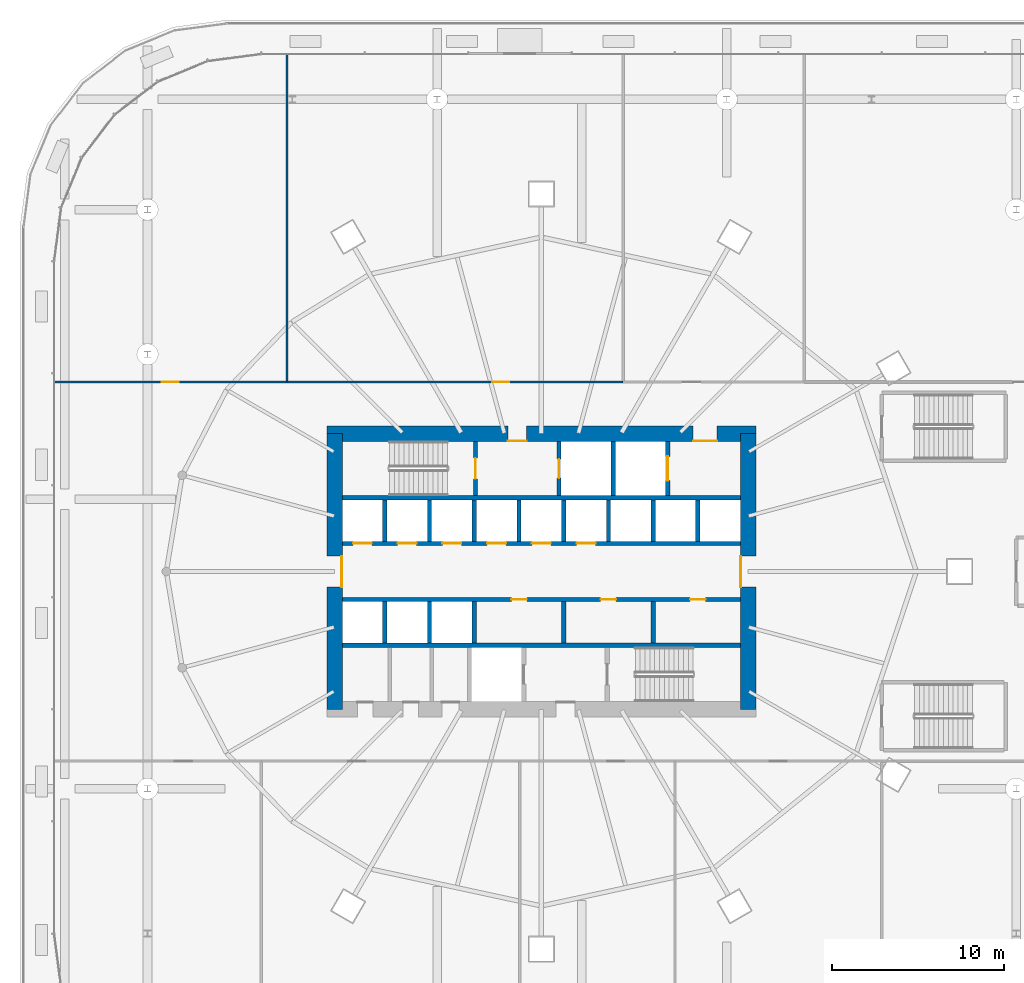
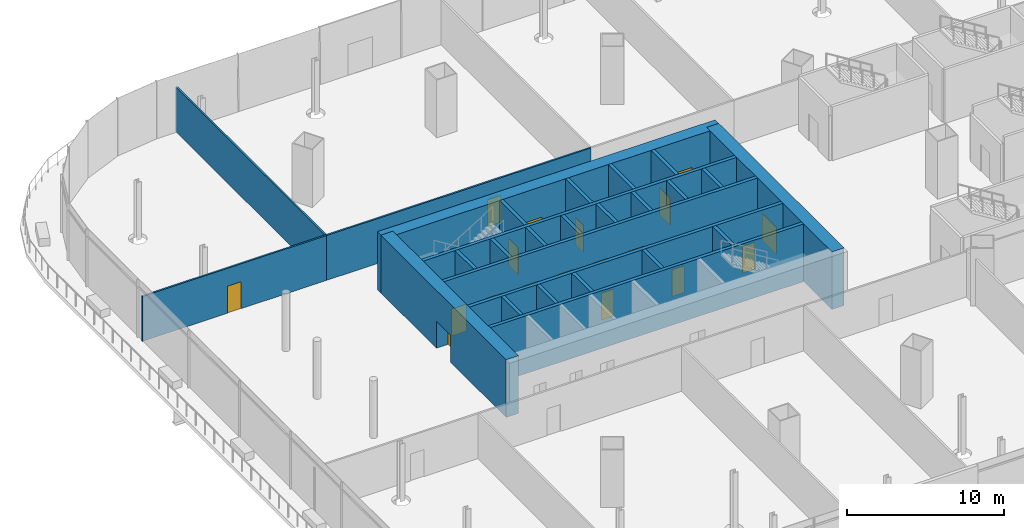
# One storey, part 38 of 56: 27 walls, 18 doors, 18 openings.
"""IFC4 building model written with IfcOpenShell, lengths in metres."""

from ifc_helpers import new_model, si_unit, direction, frame, frame_2d, origin, place, context, subcontext, project, spatial, rectangle, extrude, material, layer, layer_set, type_object, element, fill, save


model = new_model("IFC4")

# Units and contexts
model_context = context("Model", 3, precision=1e-05, world=origin(), true_north=direction((0.0, 1.0)))
body_context = subcontext(model_context, "Body", "Model", "MODEL_VIEW")
ifc_project = project(units=[si_unit("LENGTHUNIT", "METRE"), si_unit("AREAUNIT", "SQUARE_METRE"), si_unit("VOLUMEUNIT", "CUBIC_METRE"), si_unit("PLANEANGLEUNIT", "RADIAN"), si_unit("MASSUNIT", "GRAM", prefix="KILO")], contexts=[model_context])

# Site, building, storey
site_placement = place(None, origin())
site = spatial("IfcSite", under=ifc_project, at=site_placement, CompositionType="ELEMENT")
building_placement = place(site_placement, origin())
building = spatial("IfcBuilding", under=site, at=building_placement, Name="Rimbun Link Towers", CompositionType="ELEMENT")
storey_placement = place(building_placement, frame((0.0, 0.0, 16.5)))
storey = spatial("IfcBuildingStorey", under=building, at=storey_placement, Name="L03", CompositionType="ELEMENT", Elevation=16.5)

# Wall, openings, doors
ifc_material_1 = material(Name="Concrete C60/75", Category="concrete")
ifc_layer_1 = layer(ifc_material_1, 0.89990234375)
ifc_layer_set_1 = layer_set([ifc_layer_1], Name="Core shear wall 900")
wall_type_1 = type_object("IfcWallType", Name="Core shear wall 900", PredefinedType="SHEAR", material=ifc_layer_set_1)
wall_1_placement = place(storey_placement, frame((-44.199951171875, 8.0, 0.0), z_axis=(0.0, 0.0, 1.0), x_axis=(1.0, 0.0, 0.0)))
wall_1 = element("IfcWall", 1, at=wall_1_placement, inside=storey, type_object=wall_type_1, Name="L03 T1 core wall N", PredefinedType="SHEAR", context=body_context, shape_type="SweptSolid", body=[
    extrude(rectangle(XDim=24.89990234375, YDim=0.89990234375, at=frame_2d((12.449951171875, 0.0))), origin(), (0.0, 0.0, 1.0), 4.5),
])
opening_1_placement = place(wall_1_placement, frame((10.5, 0.0, 0.0)))
opening_1 = element("IfcOpeningElement", 2, at=opening_1_placement, cuts=wall_1, Name="Opening C1DCF01N", PredefinedType="OPENING", context=body_context, shape_type="SweptSolid", body=[
    extrude(rectangle(XDim=1.10009765625, YDim=2.10009765625, at=frame_2d((0.550048828125, 1.050048828125))), frame((0.0, 0.4599609375, 0.0), z_axis=(0.0, -1.0, 0.0), x_axis=(1.0, 0.0, 0.0)), (0.0, 0.0, 1.0), 0.919921875),
])
opening_2_placement = place(wall_1_placement, frame((21.25, 0.0, 0.0)))
opening_2 = element("IfcOpeningElement", 3, at=opening_2_placement, cuts=wall_1, Name="Opening C1DSL02N", PredefinedType="OPENING", context=body_context, shape_type="SweptSolid", body=[
    extrude(rectangle(XDim=1.39990234375, YDim=2.10009765625, at=frame_2d((0.699951171875, 1.050048828125))), frame((0.0, 0.4599609375, 0.0), z_axis=(0.0, -1.0, 0.0), x_axis=(1.0, 0.0, 0.0)), (0.0, 0.0, 1.0), 0.919921875),
])
ifc_material_2 = material(Name="Steel fire door set", Category="steel")
door_type_1 = type_object("IfcDoorType", Name="Core fire door single", OperationType="SINGLE_SWING_LEFT", PredefinedType="DOOR", material=ifc_material_2)
door_1_placement = place(opening_1_placement, origin())
door_1 = element("IfcDoor", 4, at=door_1_placement, inside=storey, type_object=door_type_1, Name="L03 T1 firefighting lobby n door", OperationType="SINGLE_SWING_LEFT", OverallHeight=2.10009765625, OverallWidth=1.10009765625, PredefinedType="DOOR", context=body_context, shape_type="SweptSolid", body=[
    extrude(rectangle(XDim=1.10009765625, YDim=2.10009765625, at=frame_2d((0.550048828125, 1.050048828125))), frame((0.0, -0.39990234375, 0.0), z_axis=(0.0, -1.0, 0.0), x_axis=(1.0, 0.0, 0.0)), (0.0, 0.0, 1.0), 0.050048828125),
])
fill(opening_1, door_1)
ifc_material_3 = material(Name="Steel fire door set", Category="steel")
door_type_2 = type_object("IfcDoorType", Name="Service lobby door double", OperationType="DOUBLE_DOOR_SINGLE_SWING", PredefinedType="DOOR", material=ifc_material_3)
door_2_placement = place(opening_2_placement, origin())
door_2 = element("IfcDoor", 5, at=door_2_placement, inside=storey, type_object=door_type_2, Name="L03 T1 service lobby door", OperationType="DOUBLE_DOOR_SINGLE_SWING", OverallHeight=2.10009765625, OverallWidth=1.39990234375, PredefinedType="DOOR", context=body_context, shape_type="SweptSolid", body=[
    extrude(rectangle(XDim=1.39990234375, YDim=2.10009765625, at=frame_2d((0.699951171875, 1.050048828125))), frame((0.0, -0.39990234375, 0.0), z_axis=(0.0, -1.0, 0.0), x_axis=(1.0, 0.0, 0.0)), (0.0, 0.0, 1.0), 0.050048828125),
])
fill(opening_2, door_2)

# Wall, opening, door
wall_2_placement = place(storey_placement, frame((-19.75, -8.0, 0.0), z_axis=(0.0, 0.0, 1.0), x_axis=(0.0, 1.0, 0.0)))
wall_2 = element("IfcWall", 6, at=wall_2_placement, inside=storey, type_object=wall_type_1, Name="L03 T1 core wall E", PredefinedType="SHEAR", context=body_context, shape_type="SweptSolid", body=[
    extrude(rectangle(XDim=16.0, YDim=0.89990234375, at=frame_2d((8.0, 0.0))), origin(), (0.0, 0.0, 1.0), 4.5),
])
opening_3_placement = place(wall_2_placement, frame((7.10009765625, 0.0, 0.0)))
opening_3 = element("IfcOpeningElement", 7, at=opening_3_placement, cuts=wall_2, Name="Opening C1DCL01E", PredefinedType="OPENING", context=body_context, shape_type="SweptSolid", body=[
    extrude(rectangle(XDim=1.800048828125, YDim=2.10009765625, at=frame_2d((0.89990234375, 1.050048828125))), frame((0.0, 0.4599609375, 0.0), z_axis=(0.0, -1.0, 0.0), x_axis=(1.0, 0.0, 0.0)), (0.0, 0.0, 1.0), 0.919921875),
])
ifc_material_4 = material(Name="Steel fire door set", Category="steel")
door_type_3 = type_object("IfcDoorType", Name="Core lobby door double", OperationType="DOUBLE_DOOR_SINGLE_SWING", PredefinedType="DOOR", material=ifc_material_4)
door_3_placement = place(opening_3_placement, origin())
door_3 = element("IfcDoor", 8, at=door_3_placement, inside=storey, type_object=door_type_3, Name="L03 T1 lift lobby door", OperationType="DOUBLE_DOOR_SINGLE_SWING", OverallHeight=2.10009765625, OverallWidth=1.800048828125, PredefinedType="DOOR", context=body_context, shape_type="SweptSolid", body=[
    extrude(rectangle(XDim=1.800048828125, YDim=2.10009765625, at=frame_2d((0.89990234375, 1.050048828125))), frame((0.0, 0.4501953125, 0.0), z_axis=(0.0, -1.0, 0.0), x_axis=(1.0, 0.0, 0.0)), (0.0, 0.0, 1.0), 0.050048828125),
])
fill(opening_3, door_3)

wall_3_placement = place(storey_placement, frame((-43.75, -8.0, 0.0), z_axis=(0.0, 0.0, 1.0), x_axis=(0.0, 1.0, 0.0)))
wall_3 = element("IfcWall", 9, at=wall_3_placement, inside=storey, type_object=wall_type_1, Name="L03 T1 core wall W", PredefinedType="SHEAR", context=body_context, shape_type="SweptSolid", body=[
    extrude(rectangle(XDim=16.0, YDim=0.89990234375, at=frame_2d((8.0, 0.0))), origin(), (0.0, 0.0, 1.0), 4.5),
])
opening_4_placement = place(wall_3_placement, frame((7.10009765625, 0.0, 0.0)))
opening_4 = element("IfcOpeningElement", 10, at=opening_4_placement, cuts=wall_3, Name="Opening C1DCL01W", PredefinedType="OPENING", context=body_context, shape_type="SweptSolid", body=[
    extrude(rectangle(XDim=1.800048828125, YDim=2.10009765625, at=frame_2d((0.89990234375, 1.050048828125))), frame((0.0, 0.4599609375, 0.0), z_axis=(0.0, -1.0, 0.0), x_axis=(1.0, 0.0, 0.0)), (0.0, 0.0, 1.0), 0.919921875),
])
door_4_placement = place(opening_4_placement, origin())
door_4 = element("IfcDoor", 11, at=door_4_placement, inside=storey, type_object=door_type_3, Name="L03 T1 lift lobby door", OperationType="DOUBLE_DOOR_SINGLE_SWING", OverallHeight=2.10009765625, OverallWidth=1.800048828125, PredefinedType="DOOR", context=body_context, shape_type="SweptSolid", body=[
    extrude(rectangle(XDim=1.800048828125, YDim=2.10009765625, at=frame_2d((0.89990234375, 1.050048828125))), frame((0.0, -0.39990234375, 0.0), z_axis=(0.0, -1.0, 0.0), x_axis=(1.0, 0.0, 0.0)), (0.0, 0.0, 1.0), 0.050048828125),
])
fill(opening_4, door_4)

ifc_material_5 = material(Name="Gypsum board on steel studs", Category="steel")
ifc_layer_2 = layer(ifc_material_5, 0.125)
ifc_layer_set_2 = layer_set([ifc_layer_2], Name="Partition 125 board on studs")
wall_type_2 = type_object("IfcWallType", Name="Partition 125 board on studs", PredefinedType="PARTITIONING", material=ifc_layer_set_2)
wall_4_placement = place(storey_placement, frame((-46.5, 11.0, 0.0), z_axis=(0.0, 0.0, 1.0), x_axis=(-1.0, 0.0, 0.0)))
wall_4 = element("IfcWall", 12, at=wall_4_placement, inside=storey, type_object=wall_type_2, Name="PD/PW/L03/038", PredefinedType="PARTITIONING", context=body_context, shape_type="SweptSolid", body=[
    extrude(rectangle(XDim=13.580078125, YDim=0.125, at=frame_2d((6.7900390625, 0.0))), origin(), (0.0, 0.0, 1.0), 3.49609375),
])
opening_5_placement = place(wall_4_placement, frame((6.2900390625, 0.0, 0.0)))
opening_5 = element("IfcOpeningElement", 13, at=opening_5_placement, cuts=wall_4, Name="Opening PD D03.16", PredefinedType="OPENING", context=body_context, shape_type="SweptSolid", body=[
    extrude(rectangle(XDim=1.0, YDim=2.10009765625, at=frame_2d((0.5, 1.050048828125))), frame((0.0, 0.072509765625, 0.0), z_axis=(0.0, -1.0, 0.0), x_axis=(1.0, 0.0, 0.0)), (0.0, 0.0, 1.0), 0.14501953125),
])
ifc_material_6 = material(Name="Timber door set", Category="wood")
door_type_4 = type_object("IfcDoorType", Name="Door single leaf 1000 x 2100", OperationType="NOTDEFINED", PredefinedType="DOOR", material=ifc_material_6)
door_5_placement = place(opening_5_placement, origin())
door_5 = element("IfcDoor", 14, at=door_5_placement, inside=storey, type_object=door_type_4, Name="PD/DR/L03/016", OperationType="SINGLE_SWING_LEFT", OverallHeight=2.10009765625, OverallWidth=1.0, PredefinedType="DOOR", context=body_context, shape_type="SweptSolid", body=[
    extrude(rectangle(XDim=1.0, YDim=2.10009765625, at=frame_2d((0.5, 1.050048828125))), frame((0.0, 0.02490234375, 0.0), z_axis=(0.0, -1.0, 0.0), x_axis=(1.0, 0.0, 0.0)), (0.0, 0.0, 1.0), 0.050048828125),
])
fill(opening_5, door_5)

wall_5_placement = place(storey_placement, frame((-27.0, 11.0, 0.0), z_axis=(0.0, 0.0, 1.0), x_axis=(-1.0, 0.0, 0.0)))
wall_5 = element("IfcWall", 15, at=wall_5_placement, inside=storey, type_object=wall_type_2, Name="PD/PW/L03/039", PredefinedType="PARTITIONING", context=body_context, shape_type="SweptSolid", body=[
    extrude(rectangle(XDim=19.5, YDim=0.125, at=frame_2d((9.75, 0.0))), origin(), (0.0, 0.0, 1.0), 3.49609375),
])
opening_6_placement = place(wall_5_placement, frame((6.610107421875, 0.0, 0.0)))
opening_6 = element("IfcOpeningElement", 16, at=opening_6_placement, cuts=wall_5, Name="Opening PD D03.17", PredefinedType="OPENING", context=body_context, shape_type="SweptSolid", body=[
    extrude(rectangle(XDim=1.0, YDim=2.10009765625, at=frame_2d((0.5, 1.050048828125))), frame((0.0, 0.072509765625, 0.0), z_axis=(0.0, -1.0, 0.0), x_axis=(1.0, 0.0, 0.0)), (0.0, 0.0, 1.0), 0.14501953125),
])
door_6_placement = place(opening_6_placement, origin())
door_6 = element("IfcDoor", 17, at=door_6_placement, inside=storey, type_object=door_type_4, Name="PD/DR/L03/017", OperationType="SINGLE_SWING_RIGHT", OverallHeight=2.10009765625, OverallWidth=1.0, PredefinedType="DOOR", context=body_context, shape_type="SweptSolid", body=[
    extrude(rectangle(XDim=1.0, YDim=2.10009765625, at=frame_2d((0.5, 1.050048828125))), frame((0.0, 0.02490234375, 0.0), z_axis=(0.0, -1.0, 0.0), x_axis=(1.0, 0.0, 0.0)), (0.0, 0.0, 1.0), 0.050048828125),
])
fill(opening_6, door_6)

# Walls
wall_6_placement = place(storey_placement, frame((-46.5, 11.0625, 0.0), z_axis=(0.0, 0.0, 1.0), x_axis=(0.0, 1.0, 0.0)))
element("IfcWall", 18, at=wall_6_placement, inside=storey, type_object=wall_type_2, Name="PD/PW/L03/067", PredefinedType="PARTITIONING", context=body_context, shape_type="SweptSolid", body=[
    extrude(rectangle(XDim=19.017578125, YDim=0.125, at=frame_2d((9.5087890625, 0.0))), origin(), (0.0, 0.0, 1.0), 3.49609375),
])
ifc_material_7 = material(Name="Concrete C60/75", Category="concrete")
ifc_layer_3 = layer(ifc_material_7, 0.25)
ifc_layer_set_3 = layer_set([ifc_layer_3], Name="Shaft wall 250")
wall_type_3 = type_object("IfcWallType", Name="Shaft wall 250", PredefinedType="SHEAR", material=ifc_layer_set_3)
for number, where, z_axis, x_axis, name in (
    (19, (-43.300048828125, 4.27490234375, 0.0), (0.0, 0.0, 1.0), (1.0, 0.0, 0.0), "L03 T1 core wall BN"),
    (20, (-43.300048828125, -4.27490234375, 0.0), (0.0, 0.0, 1.0), (1.0, 0.0, 0.0), "L03 T1 core wall BS"),
):
    element("IfcWall", number, at=place(storey_placement, frame(where, z_axis=z_axis, x_axis=x_axis)), inside=storey, type_object=wall_type_3, Name=name, PredefinedType="SHEAR", context=body_context, shape_type="SweptSolid", body=[
        extrude(rectangle(XDim=23.10009765625, YDim=0.25, at=frame_2d((11.550048828125, 0.0))), origin(), (0.0, 0.0, 1.0), 4.5),
    ])

# Wall, openings, doors
wall_7_placement = place(storey_placement, frame((-43.300048828125, 1.625, 0.0), z_axis=(0.0, 0.0, 1.0), x_axis=(1.0, 0.0, 0.0)))
wall_7 = element("IfcWall", 21, at=wall_7_placement, inside=storey, type_object=wall_type_3, Name="L03 T1 core wall FN", PredefinedType="SHEAR", context=body_context, shape_type="SweptSolid", body=[
    extrude(rectangle(XDim=23.10009765625, YDim=0.25, at=frame_2d((11.550048828125, 0.0))), origin(), (0.0, 0.0, 1.0), 4.5),
])
opening_7_placement = place(wall_7_placement, frame((0.622314453125, 0.0, 0.0)))
opening_7 = element("IfcOpeningElement", 22, at=opening_7_placement, cuts=wall_7, Name="Opening LD-T1-LR1", PredefinedType="OPENING", context=body_context, shape_type="SweptSolid", body=[
    extrude(rectangle(XDim=1.10009765625, YDim=2.10009765625, at=frame_2d((0.550048828125, 1.050048828125))), frame((0.0, 0.135009765625, 0.0), z_axis=(0.0, -1.0, 0.0), x_axis=(1.0, 0.0, 0.0)), (0.0, 0.0, 1.0), 0.27001953125),
])
opening_8_placement = place(wall_7_placement, frame((3.216796875, 0.0, 0.0)))
opening_8 = element("IfcOpeningElement", 23, at=opening_8_placement, cuts=wall_7, Name="Opening LD-T1-LR2", PredefinedType="OPENING", context=body_context, shape_type="SweptSolid", body=[
    extrude(rectangle(XDim=1.10009765625, YDim=2.10009765625, at=frame_2d((0.550048828125, 1.050048828125))), frame((0.0, 0.135009765625, 0.0), z_axis=(0.0, -1.0, 0.0), x_axis=(1.0, 0.0, 0.0)), (0.0, 0.0, 1.0), 0.27001953125),
])
opening_9_placement = place(wall_7_placement, frame((5.81103515625, 0.0, 0.0)))
opening_9 = element("IfcOpeningElement", 24, at=opening_9_placement, cuts=wall_7, Name="Opening LD-T1-LR3", PredefinedType="OPENING", context=body_context, shape_type="SweptSolid", body=[
    extrude(rectangle(XDim=1.10009765625, YDim=2.10009765625, at=frame_2d((0.550048828125, 1.050048828125))), frame((0.0, 0.135009765625, 0.0), z_axis=(0.0, -1.0, 0.0), x_axis=(1.0, 0.0, 0.0)), (0.0, 0.0, 1.0), 0.27001953125),
])
opening_10_placement = place(wall_7_placement, frame((8.405517578125, 0.0, 0.0)))
opening_10 = element("IfcOpeningElement", 25, at=opening_10_placement, cuts=wall_7, Name="Opening LD-T1-LR4", PredefinedType="OPENING", context=body_context, shape_type="SweptSolid", body=[
    extrude(rectangle(XDim=1.10009765625, YDim=2.10009765625, at=frame_2d((0.550048828125, 1.050048828125))), frame((0.0, 0.135009765625, 0.0), z_axis=(0.0, -1.0, 0.0), x_axis=(1.0, 0.0, 0.0)), (0.0, 0.0, 1.0), 0.27001953125),
])
opening_11_placement = place(wall_7_placement, frame((11.0, 0.0, 0.0)))
opening_11 = element("IfcOpeningElement", 26, at=opening_11_placement, cuts=wall_7, Name="Opening LD-T1-LR5", PredefinedType="OPENING", context=body_context, shape_type="SweptSolid", body=[
    extrude(rectangle(XDim=1.10009765625, YDim=2.10009765625, at=frame_2d((0.550048828125, 1.050048828125))), frame((0.0, 0.135009765625, 0.0), z_axis=(0.0, -1.0, 0.0), x_axis=(1.0, 0.0, 0.0)), (0.0, 0.0, 1.0), 0.27001953125),
])
opening_12_placement = place(wall_7_placement, frame((13.594482421875, 0.0, 0.0)))
opening_12 = element("IfcOpeningElement", 27, at=opening_12_placement, cuts=wall_7, Name="Opening LD-T1-LR6", PredefinedType="OPENING", context=body_context, shape_type="SweptSolid", body=[
    extrude(rectangle(XDim=1.10009765625, YDim=2.10009765625, at=frame_2d((0.550048828125, 1.050048828125))), frame((0.0, 0.135009765625, 0.0), z_axis=(0.0, -1.0, 0.0), x_axis=(1.0, 0.0, 0.0)), (0.0, 0.0, 1.0), 0.27001953125),
])
ifc_material_8 = material(Name="Stainless steel grade 316", Category="steel")
door_type_5 = type_object("IfcDoorType", Name="Lift landing door", OperationType="DOUBLE_DOOR_SLIDING", PredefinedType="DOOR", material=ifc_material_8)
door_7_placement = place(opening_7_placement, origin())
door_7 = element("IfcDoor", 28, at=door_7_placement, inside=storey, type_object=door_type_5, Name="L03 T1 lift LR1 landing door", OperationType="DOUBLE_DOOR_SLIDING", OverallHeight=2.10009765625, OverallWidth=1.10009765625, PredefinedType="DOOR", context=body_context, shape_type="SweptSolid", body=[
    extrude(rectangle(XDim=1.10009765625, YDim=2.10009765625, at=frame_2d((0.550048828125, 1.050048828125))), frame((0.0, 0.02490234375, 0.0), z_axis=(0.0, -1.0, 0.0), x_axis=(1.0, 0.0, 0.0)), (0.0, 0.0, 1.0), 0.050048828125),
])
fill(opening_7, door_7)
door_8_placement = place(opening_8_placement, origin())
door_8 = element("IfcDoor", 29, at=door_8_placement, inside=storey, type_object=door_type_5, Name="L03 T1 lift LR2 landing door", OperationType="DOUBLE_DOOR_SLIDING", OverallHeight=2.10009765625, OverallWidth=1.10009765625, PredefinedType="DOOR", context=body_context, shape_type="SweptSolid", body=[
    extrude(rectangle(XDim=1.10009765625, YDim=2.10009765625, at=frame_2d((0.550048828125, 1.050048828125))), frame((0.0, 0.02490234375, 0.0), z_axis=(0.0, -1.0, 0.0), x_axis=(1.0, 0.0, 0.0)), (0.0, 0.0, 1.0), 0.050048828125),
])
fill(opening_8, door_8)
door_9_placement = place(opening_9_placement, origin())
door_9 = element("IfcDoor", 30, at=door_9_placement, inside=storey, type_object=door_type_5, Name="L03 T1 lift LR3 landing door", OperationType="DOUBLE_DOOR_SLIDING", OverallHeight=2.10009765625, OverallWidth=1.10009765625, PredefinedType="DOOR", context=body_context, shape_type="SweptSolid", body=[
    extrude(rectangle(XDim=1.10009765625, YDim=2.10009765625, at=frame_2d((0.550048828125, 1.050048828125))), frame((0.0, 0.02490234375, 0.0), z_axis=(0.0, -1.0, 0.0), x_axis=(1.0, 0.0, 0.0)), (0.0, 0.0, 1.0), 0.050048828125),
])
fill(opening_9, door_9)
door_10_placement = place(opening_10_placement, origin())
door_10 = element("IfcDoor", 31, at=door_10_placement, inside=storey, type_object=door_type_5, Name="L03 T1 lift LR4 landing door", OperationType="DOUBLE_DOOR_SLIDING", OverallHeight=2.10009765625, OverallWidth=1.10009765625, PredefinedType="DOOR", context=body_context, shape_type="SweptSolid", body=[
    extrude(rectangle(XDim=1.10009765625, YDim=2.10009765625, at=frame_2d((0.550048828125, 1.050048828125))), frame((0.0, 0.02490234375, 0.0), z_axis=(0.0, -1.0, 0.0), x_axis=(1.0, 0.0, 0.0)), (0.0, 0.0, 1.0), 0.050048828125),
])
fill(opening_10, door_10)
door_11_placement = place(opening_11_placement, origin())
door_11 = element("IfcDoor", 32, at=door_11_placement, inside=storey, type_object=door_type_5, Name="L03 T1 lift LR5 landing door", OperationType="DOUBLE_DOOR_SLIDING", OverallHeight=2.10009765625, OverallWidth=1.10009765625, PredefinedType="DOOR", context=body_context, shape_type="SweptSolid", body=[
    extrude(rectangle(XDim=1.10009765625, YDim=2.10009765625, at=frame_2d((0.550048828125, 1.050048828125))), frame((0.0, 0.02490234375, 0.0), z_axis=(0.0, -1.0, 0.0), x_axis=(1.0, 0.0, 0.0)), (0.0, 0.0, 1.0), 0.050048828125),
])
fill(opening_11, door_11)
door_12_placement = place(opening_12_placement, origin())
door_12 = element("IfcDoor", 33, at=door_12_placement, inside=storey, type_object=door_type_5, Name="L03 T1 lift LR6 landing door", OperationType="DOUBLE_DOOR_SLIDING", OverallHeight=2.10009765625, OverallWidth=1.10009765625, PredefinedType="DOOR", context=body_context, shape_type="SweptSolid", body=[
    extrude(rectangle(XDim=1.10009765625, YDim=2.10009765625, at=frame_2d((0.550048828125, 1.050048828125))), frame((0.0, 0.02490234375, 0.0), z_axis=(0.0, -1.0, 0.0), x_axis=(1.0, 0.0, 0.0)), (0.0, 0.0, 1.0), 0.050048828125),
])
fill(opening_12, door_12)

wall_8_placement = place(storey_placement, frame((-43.300048828125, -1.625, 0.0), z_axis=(0.0, 0.0, 1.0), x_axis=(1.0, 0.0, 0.0)))
wall_8 = element("IfcWall", 34, at=wall_8_placement, inside=storey, type_object=wall_type_3, Name="L03 T1 core wall FS", PredefinedType="SHEAR", context=body_context, shape_type="SweptSolid", body=[
    extrude(rectangle(XDim=23.10009765625, YDim=0.25, at=frame_2d((11.550048828125, 0.0))), origin(), (0.0, 0.0, 1.0), 4.5),
])
opening_13_placement = place(wall_8_placement, frame((9.802734375, 0.0, 0.0)))
opening_13 = element("IfcOpeningElement", 35, at=opening_13_placement, cuts=wall_8, Name="Opening C1DRS01FS", PredefinedType="OPENING", context=body_context, shape_type="SweptSolid", body=[
    extrude(rectangle(XDim=0.89990234375, YDim=2.10009765625, at=frame_2d((0.449951171875, 1.050048828125))), frame((0.0, 0.135009765625, 0.0), z_axis=(0.0, -1.0, 0.0), x_axis=(1.0, 0.0, 0.0)), (0.0, 0.0, 1.0), 0.27001953125),
])
opening_14_placement = place(wall_8_placement, frame((14.99169921875, 0.0, 0.0)))
opening_14 = element("IfcOpeningElement", 36, at=opening_14_placement, cuts=wall_8, Name="Opening C1DRS02FS", PredefinedType="OPENING", context=body_context, shape_type="SweptSolid", body=[
    extrude(rectangle(XDim=0.89990234375, YDim=2.10009765625, at=frame_2d((0.449951171875, 1.050048828125))), frame((0.0, 0.135009765625, 0.0), z_axis=(0.0, -1.0, 0.0), x_axis=(1.0, 0.0, 0.0)), (0.0, 0.0, 1.0), 0.27001953125),
])
opening_15_placement = place(wall_8_placement, frame((20.1806640625, 0.0, 0.0)))
opening_15 = element("IfcOpeningElement", 37, at=opening_15_placement, cuts=wall_8, Name="Opening C1DRS03FS", PredefinedType="OPENING", context=body_context, shape_type="SweptSolid", body=[
    extrude(rectangle(XDim=0.89990234375, YDim=2.10009765625, at=frame_2d((0.449951171875, 1.050048828125))), frame((0.0, 0.135009765625, 0.0), z_axis=(0.0, -1.0, 0.0), x_axis=(1.0, 0.0, 0.0)), (0.0, 0.0, 1.0), 0.27001953125),
])
ifc_material_9 = material(Name="Steel fire door set", Category="steel")
door_type_6 = type_object("IfcDoorType", Name="Core riser door", OperationType="SINGLE_SWING_LEFT", PredefinedType="DOOR", material=ifc_material_9)
door_13_placement = place(opening_13_placement, origin())
door_13 = element("IfcDoor", 38, at=door_13_placement, inside=storey, type_object=door_type_6, Name="L03 T1 server room door", OperationType="SINGLE_SWING_LEFT", OverallHeight=2.10009765625, OverallWidth=0.89990234375, PredefinedType="DOOR", context=body_context, shape_type="SweptSolid", body=[
    extrude(rectangle(XDim=0.89990234375, YDim=2.10009765625, at=frame_2d((0.449951171875, 1.050048828125))), frame((0.0, 0.02490234375, 0.0), z_axis=(0.0, -1.0, 0.0), x_axis=(1.0, 0.0, 0.0)), (0.0, 0.0, 1.0), 0.050048828125),
])
fill(opening_13, door_13)
door_14_placement = place(opening_14_placement, origin())
door_14 = element("IfcDoor", 39, at=door_14_placement, inside=storey, type_object=door_type_6, Name="L03 T1 print room door", OperationType="SINGLE_SWING_LEFT", OverallHeight=2.10009765625, OverallWidth=0.89990234375, PredefinedType="DOOR", context=body_context, shape_type="SweptSolid", body=[
    extrude(rectangle(XDim=0.89990234375, YDim=2.10009765625, at=frame_2d((0.449951171875, 1.050048828125))), frame((0.0, 0.02490234375, 0.0), z_axis=(0.0, -1.0, 0.0), x_axis=(1.0, 0.0, 0.0)), (0.0, 0.0, 1.0), 0.050048828125),
])
fill(opening_14, door_14)
door_15_placement = place(opening_15_placement, origin())
door_15 = element("IfcDoor", 40, at=door_15_placement, inside=storey, type_object=door_type_6, Name="L03 T1 staff lounge door", OperationType="SINGLE_SWING_LEFT", OverallHeight=2.10009765625, OverallWidth=0.89990234375, PredefinedType="DOOR", context=body_context, shape_type="SweptSolid", body=[
    extrude(rectangle(XDim=0.89990234375, YDim=2.10009765625, at=frame_2d((0.449951171875, 1.050048828125))), frame((0.0, 0.02490234375, 0.0), z_axis=(0.0, -1.0, 0.0), x_axis=(1.0, 0.0, 0.0)), (0.0, 0.0, 1.0), 0.050048828125),
])
fill(opening_15, door_15)

# Walls
for number, where, z_axis, x_axis, name in (
    (41, (-40.83056640625, 1.75, 0.0), (0.0, 0.0, 1.0), (0.0, 1.0, 0.0), "L03 T1 core wall DN0"),
    (42, (-38.236083984375, 1.75, 0.0), (0.0, 0.0, 1.0), (0.0, 1.0, 0.0), "L03 T1 core wall DN1"),
    (43, (-35.6416015625, 1.75, 0.0), (0.0, 0.0, 1.0), (0.0, 1.0, 0.0), "L03 T1 core wall DN2"),
    (44, (-33.047119140625, 1.75, 0.0), (0.0, 0.0, 1.0), (0.0, 1.0, 0.0), "L03 T1 core wall DN3"),
    (45, (-30.452880859375, 1.75, 0.0), (0.0, 0.0, 1.0), (0.0, 1.0, 0.0), "L03 T1 core wall DN4"),
    (46, (-27.8583984375, 1.75, 0.0), (0.0, 0.0, 1.0), (0.0, 1.0, 0.0), "L03 T1 core wall DN5"),
    (47, (-25.263916015625, 1.75, 0.0), (0.0, 0.0, 1.0), (0.0, 1.0, 0.0), "L03 T1 core wall DN6"),
    (48, (-22.66943359375, 1.75, 0.0), (0.0, 0.0, 1.0), (0.0, 1.0, 0.0), "L03 T1 core wall DN7"),
    (49, (-40.83056640625, -4.14990234375, 0.0), (0.0, 0.0, 1.0), (0.0, 1.0, 0.0), "L03 T1 core wall DS0"),
    (50, (-38.236083984375, -4.14990234375, 0.0), (0.0, 0.0, 1.0), (0.0, 1.0, 0.0), "L03 T1 core wall DS1"),
    (51, (-35.6416015625, -4.14990234375, 0.0), (0.0, 0.0, 1.0), (0.0, 1.0, 0.0), "L03 T1 core wall DS2"),
    (52, (-30.452880859375, -4.14990234375, 0.0), (0.0, 0.0, 1.0), (0.0, 1.0, 0.0), "L03 T1 core wall DS4"),
    (53, (-25.263916015625, -4.14990234375, 0.0), (0.0, 0.0, 1.0), (0.0, 1.0, 0.0), "L03 T1 core wall DS6"),
):
    element("IfcWall", number, at=place(storey_placement, frame(where, z_axis=z_axis, x_axis=x_axis)), inside=storey, type_object=wall_type_3, Name=name, PredefinedType="SHEAR", context=body_context, shape_type="SweptSolid", body=[
        extrude(rectangle(XDim=2.39990234375, YDim=0.25, at=frame_2d((1.199951171875, 0.0))), origin(), (0.0, 0.0, 1.0), 4.5),
    ])

# Wall, opening, door
wall_9_placement = place(storey_placement, frame((-35.574951171875, 4.39990234375, 0.0), z_axis=(0.0, 0.0, 1.0), x_axis=(0.0, 1.0, 0.0)))
wall_9 = element("IfcWall", 54, at=wall_9_placement, inside=storey, type_object=wall_type_3, Name="L03 T1 core wall A1", PredefinedType="SHEAR", context=body_context, shape_type="SweptSolid", body=[
    extrude(rectangle(XDim=3.150146484375, YDim=0.25, at=frame_2d((1.5751953125, 0.0))), origin(), (0.0, 0.0, 1.0), 4.5),
])
opening_16_placement = place(wall_9_placement, frame((0.97509765625, 0.0, 0.0)))
opening_16 = element("IfcOpeningElement", 55, at=opening_16_placement, cuts=wall_9, Name="Opening C1DST01A1", PredefinedType="OPENING", context=body_context, shape_type="SweptSolid", body=[
    extrude(rectangle(XDim=1.199951171875, YDim=2.10009765625, at=frame_2d((0.60009765625, 1.050048828125))), frame((0.0, 0.135009765625, 0.0), z_axis=(0.0, -1.0, 0.0), x_axis=(1.0, 0.0, 0.0)), (0.0, 0.0, 1.0), 0.27001953125),
])
ifc_material_10 = material(Name="Steel fire door set", Category="steel")
door_type_7 = type_object("IfcDoorType", Name="Stair door", OperationType="SINGLE_SWING_LEFT", PredefinedType="DOOR", material=ifc_material_10)
door_16_placement = place(opening_16_placement, origin())
door_16 = element("IfcDoor", 56, at=door_16_placement, inside=storey, type_object=door_type_7, Name="L03 T1 stair a door", OperationType="SINGLE_SWING_RIGHT", OverallHeight=2.10009765625, OverallWidth=1.199951171875, PredefinedType="DOOR", context=body_context, shape_type="SweptSolid", body=[
    extrude(rectangle(XDim=1.199951171875, YDim=2.10009765625, at=frame_2d((0.60009765625, 1.050048828125))), frame((0.0, 0.02490234375, 0.0), z_axis=(0.0, -1.0, 0.0), x_axis=(1.0, 0.0, 0.0)), (0.0, 0.0, 1.0), 0.050048828125),
])
fill(opening_16, door_16)

wall_10_placement = place(storey_placement, frame((-30.72509765625, 4.39990234375, 0.0), z_axis=(0.0, 0.0, 1.0), x_axis=(0.0, 1.0, 0.0)))
wall_10 = element("IfcWall", 57, at=wall_10_placement, inside=storey, type_object=wall_type_3, Name="L03 T1 core wall A2", PredefinedType="SHEAR", context=body_context, shape_type="SweptSolid", body=[
    extrude(rectangle(XDim=3.150146484375, YDim=0.25, at=frame_2d((1.5751953125, 0.0))), origin(), (0.0, 0.0, 1.0), 4.5),
])
opening_17_placement = place(wall_10_placement, frame((1.02490234375, 0.0, 0.0)))
opening_17 = element("IfcOpeningElement", 58, at=opening_17_placement, cuts=wall_10, Name="Opening LD-T1-FF1", PredefinedType="OPENING", context=body_context, shape_type="SweptSolid", body=[
    extrude(rectangle(XDim=1.10009765625, YDim=2.10009765625, at=frame_2d((0.550048828125, 1.050048828125))), frame((0.0, 0.135009765625, 0.0), z_axis=(0.0, -1.0, 0.0), x_axis=(1.0, 0.0, 0.0)), (0.0, 0.0, 1.0), 0.27001953125),
])
door_17_placement = place(opening_17_placement, origin())
door_17 = element("IfcDoor", 59, at=door_17_placement, inside=storey, type_object=door_type_5, Name="L03 T1 lift FF1 landing door", OperationType="DOUBLE_DOOR_SLIDING", OverallHeight=2.10009765625, OverallWidth=1.10009765625, PredefinedType="DOOR", context=body_context, shape_type="SweptSolid", body=[
    extrude(rectangle(XDim=1.10009765625, YDim=2.10009765625, at=frame_2d((0.550048828125, 1.050048828125))), frame((0.0, 0.02490234375, 0.0), z_axis=(0.0, -1.0, 0.0), x_axis=(1.0, 0.0, 0.0)), (0.0, 0.0, 1.0), 0.050048828125),
])
fill(opening_17, door_17)

# Wall
wall_11_placement = place(storey_placement, frame((-27.574951171875, 4.39990234375, 0.0), z_axis=(0.0, 0.0, 1.0), x_axis=(0.0, 1.0, 0.0)))
element("IfcWall", 60, at=wall_11_placement, inside=storey, type_object=wall_type_3, Name="L03 T1 core wall A3", PredefinedType="SHEAR", context=body_context, shape_type="SweptSolid", body=[
    extrude(rectangle(XDim=3.150146484375, YDim=0.25, at=frame_2d((1.5751953125, 0.0))), origin(), (0.0, 0.0, 1.0), 4.5),
])

# Wall, opening, door
wall_12_placement = place(storey_placement, frame((-24.425048828125, 4.39990234375, 0.0), z_axis=(0.0, 0.0, 1.0), x_axis=(0.0, 1.0, 0.0)))
wall_12 = element("IfcWall", 61, at=wall_12_placement, inside=storey, type_object=wall_type_3, Name="L03 T1 core wall A4", PredefinedType="SHEAR", context=body_context, shape_type="SweptSolid", body=[
    extrude(rectangle(XDim=3.150146484375, YDim=0.25, at=frame_2d((1.5751953125, 0.0))), origin(), (0.0, 0.0, 1.0), 4.5),
])
opening_18_placement = place(wall_12_placement, frame((0.875, 0.0, 0.0)))
opening_18 = element("IfcOpeningElement", 62, at=opening_18_placement, cuts=wall_12, Name="Opening LD-T1-GL1", PredefinedType="OPENING", context=body_context, shape_type="SweptSolid", body=[
    extrude(rectangle(XDim=1.39990234375, YDim=2.10009765625, at=frame_2d((0.699951171875, 1.050048828125))), frame((0.0, 0.135009765625, 0.0), z_axis=(0.0, -1.0, 0.0), x_axis=(1.0, 0.0, 0.0)), (0.0, 0.0, 1.0), 0.27001953125),
])
ifc_material_11 = material(Name="Stainless steel grade 316", Category="steel")
door_type_8 = type_object("IfcDoorType", Name="Goods lift landing door", OperationType="DOUBLE_DOOR_SLIDING", PredefinedType="DOOR", material=ifc_material_11)
door_18_placement = place(opening_18_placement, origin())
door_18 = element("IfcDoor", 63, at=door_18_placement, inside=storey, type_object=door_type_8, Name="L03 T1 lift GL1 landing door", OperationType="DOUBLE_DOOR_SLIDING", OverallHeight=2.10009765625, OverallWidth=1.39990234375, PredefinedType="DOOR", context=body_context, shape_type="SweptSolid", body=[
    extrude(rectangle(XDim=1.39990234375, YDim=2.10009765625, at=frame_2d((0.699951171875, 1.050048828125))), frame((0.0, 0.02490234375, 0.0), z_axis=(0.0, -1.0, 0.0), x_axis=(1.0, 0.0, 0.0)), (0.0, 0.0, 1.0), 0.050048828125),
])
fill(opening_18, door_18)

save(model, "model.ifc")
